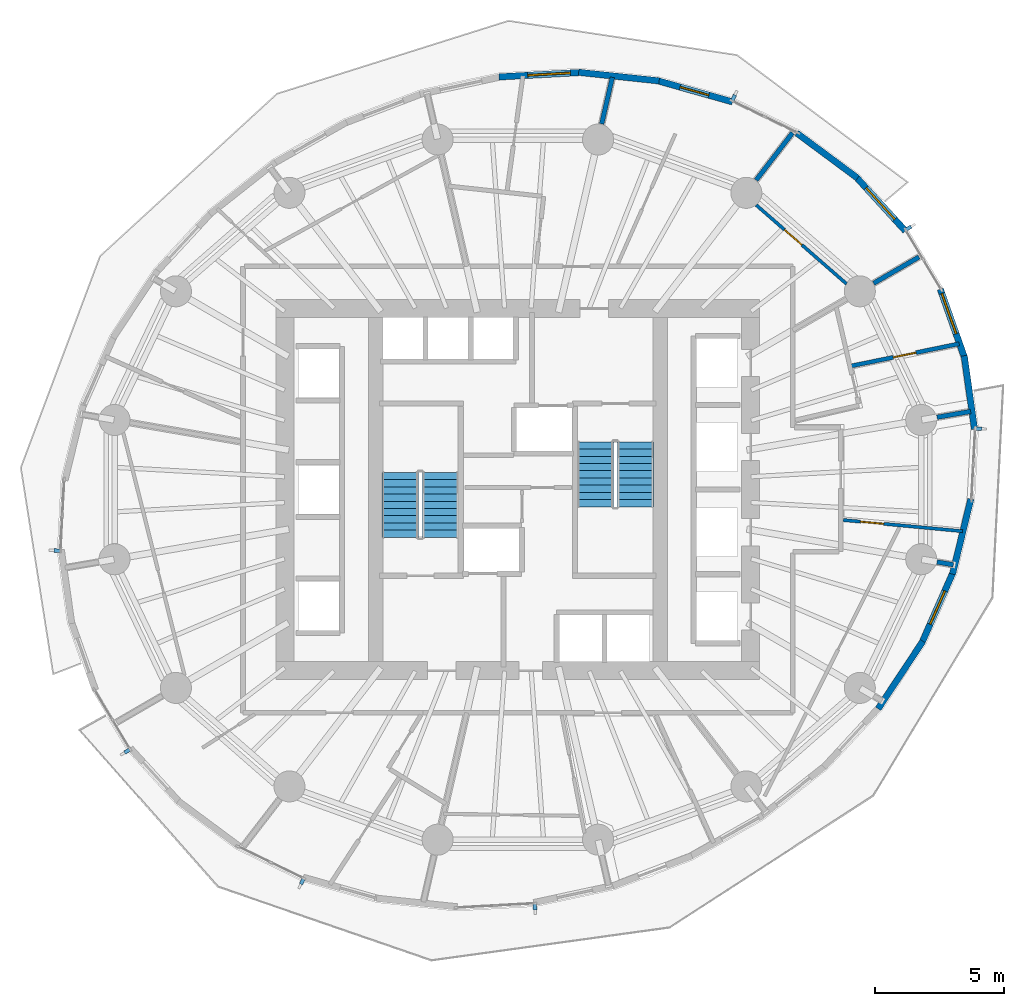
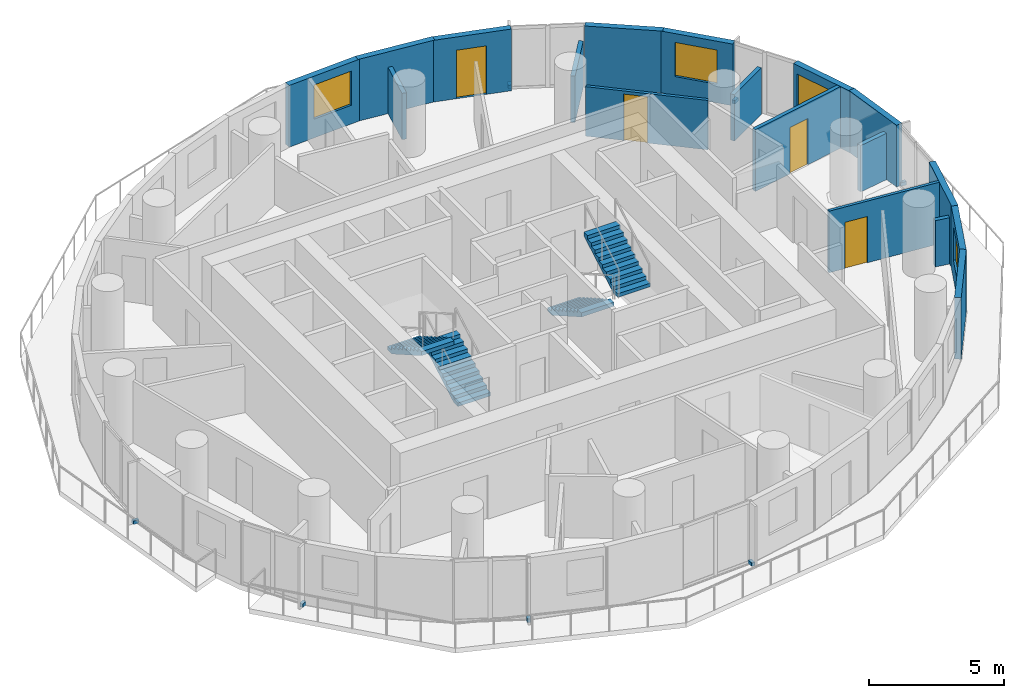
# One storey, part 10 of 15: 18 walls, 7 discrete accessories, 4 doors, 4 stair flights, 4 windows, 8 openings, 2 elements without a shape of their own.
"""IFC4 building model written with IfcOpenShell, lengths in metres."""

from ifc_helpers import new_model, si_unit, direction, frame, frame_2d, origin, origin_2d, place, context, subcontext, project, spatial, polyline, rectangle, outline, extrude, material, layer, layer_set, type_object, element, fill, aggregate, save


model = new_model("IFC4")

# Units and contexts
model_context = context("Model", 3, precision=1e-05, world=origin(), true_north=direction((0.0, 1.0)))
body_context = subcontext(model_context, "Body", "Model", "MODEL_VIEW")
ifc_project = project(units=[si_unit("LENGTHUNIT", "METRE"), si_unit("AREAUNIT", "SQUARE_METRE"), si_unit("VOLUMEUNIT", "CUBIC_METRE"), si_unit("PLANEANGLEUNIT", "RADIAN"), si_unit("MASSUNIT", "GRAM", prefix="KILO")], contexts=[model_context])

# Site, building, storey
site_placement = place(None, origin())
site = spatial("IfcSite", under=ifc_project, at=site_placement, CompositionType="ELEMENT")
building_placement = place(site_placement, origin())
building = spatial("IfcBuilding", under=site, at=building_placement, Name="Veldorim Arch Residences", CompositionType="ELEMENT")
storey_placement = place(building_placement, frame((0.0, 0.0, 109.280029296875)))
storey = spatial("IfcBuildingStorey", under=building, at=storey_placement, Name="L32", CompositionType="ELEMENT", Elevation=109.280029296875)

# Wall, opening, door
ifc_material_1 = material(Name="Acoustic Gypsum Board", Category="gypsum")
ifc_layer_1 = layer(ifc_material_1, 0.125, Name="Acoustic Stud Room Partition Wall 125")
ifc_layer_set_1 = layer_set([ifc_layer_1], Name="Acoustic Gypsum Board")
wall_type_1 = type_object("IfcWallType", Name="Acoustic Stud Room Partition Wall 125", PredefinedType="PARTITIONING", material=ifc_layer_set_1)
wall_1_placement = place(storey_placement, frame((49.19580078125, 22.39208984375, 0.0), z_axis=(0.0, 0.0, 1.0), x_axis=(-0.99565683003, 0.09309928472, 0.0)))
wall_1 = element("IfcWall", 1, at=wall_1_placement, inside=storey, type_object=wall_type_1, Name="L32 interior wall WL-RES-L32-017", PredefinedType="PARTITIONING", context=body_context, shape_type="SweptSolid", body=[
    extrude(rectangle(XDim=4.63623046875, YDim=0.125, at=frame_2d((2.318115234375, 0.0))), origin(), (0.0, 0.0, 1.0), 2.794921875),
])
opening_1_placement = place(wall_1_placement, frame((3.066162109375, 0.0, 0.0)))
opening_1 = element("IfcOpeningElement", 2, at=opening_1_placement, cuts=wall_1, Name="Opening DR-INT", PredefinedType="OPENING", context=body_context, shape_type="SweptSolid", body=[
    extrude(rectangle(XDim=0.89990234375, YDim=2.10009765625, at=frame_2d((0.449951171875, 1.050048828125))), frame((0.0, 0.072509765625, 0.0), z_axis=(0.0, -1.0, 0.0), x_axis=(1.0, 0.0, 0.0)), (0.0, 0.0, 1.0), 0.14501953125),
])
ifc_material_2 = material(Name="Engineered Timber", Category="wood")
door_type_1 = type_object("IfcDoorType", Name="Apartment Internal Room Timber Door 900x2100", OperationType="SINGLE_SWING_LEFT", PredefinedType="DOOR", material=ifc_material_2)
door_1_placement = place(opening_1_placement, origin())
door_1 = element("IfcDoor", 3, at=door_1_placement, inside=storey, type_object=door_type_1, Name="L32 interior door DR-RES-L32-007", OperationType="SINGLE_SWING_LEFT", OverallHeight=2.10009765625, OverallWidth=0.89990234375, PredefinedType="DOOR", context=body_context, shape_type="SweptSolid", body=[
    extrude(rectangle(XDim=0.89990234375, YDim=2.10009765625, at=frame_2d((0.449951171875, 1.050048828125))), frame((0.0, 0.02490234375, 0.0), z_axis=(0.0, -1.0, 0.0), x_axis=(1.0, 0.0, 0.0)), (0.0, 0.0, 1.0), 0.050048828125),
])
fill(opening_1, door_1)

wall_2_placement = place(storey_placement, frame((41.216064453125, 35.002685546875, 0.0), z_axis=(0.0, 0.0, 1.0), x_axis=(0.753372011099, -0.657594565741, 0.0)))
wall_2 = element("IfcWall", 4, at=wall_2_placement, inside=storey, type_object=wall_type_1, Name="L32 interior wall WL-RES-L32-027", PredefinedType="PARTITIONING", context=body_context, shape_type="SweptSolid", body=[
    extrude(rectangle(XDim=4.63671875, YDim=0.125, at=frame_2d((2.318359375, 0.0))), origin(), (0.0, 0.0, 1.0), 2.243408203125),
])
opening_2_placement = place(wall_2_placement, frame((1.4482421875, 0.0, 0.0)))
opening_2 = element("IfcOpeningElement", 5, at=opening_2_placement, cuts=wall_2, Name="Opening DR-INT", PredefinedType="OPENING", context=body_context, shape_type="SweptSolid", body=[
    extrude(rectangle(XDim=0.89990234375, YDim=2.10009765625, at=frame_2d((0.449951171875, 1.050048828125))), frame((0.0, 0.072509765625, 0.0), z_axis=(0.0, -1.0, 0.0), x_axis=(1.0, 0.0, 0.0)), (0.0, 0.0, 1.0), 0.14501953125),
])
door_2_placement = place(opening_2_placement, origin())
door_2 = element("IfcDoor", 6, at=door_2_placement, inside=storey, type_object=door_type_1, Name="L32 interior door DR-RES-L32-013", OperationType="SINGLE_SWING_LEFT", OverallHeight=2.10009765625, OverallWidth=0.89990234375, PredefinedType="DOOR", context=body_context, shape_type="SweptSolid", body=[
    extrude(rectangle(XDim=0.89990234375, YDim=2.10009765625, at=frame_2d((0.449951171875, 1.050048828125))), frame((0.0, 0.02490234375, 0.0), z_axis=(0.0, -1.0, 0.0), x_axis=(1.0, 0.0, 0.0)), (0.0, 0.0, 1.0), 0.050048828125),
])
fill(opening_2, door_2)

# Walls
ifc_material_3 = material(Name="Lightweight Masonry Block & Gypsum", Category="masonry")
ifc_layer_2 = layer(ifc_material_3, 0.179931640625, Name="Compartment & Corridor Fire-Rated Party Wall 180")
ifc_layer_set_2 = layer_set([ifc_layer_2], Name="Lightweight Masonry Block & Gypsum")
wall_type_2 = type_object("IfcWallType", Name="Compartment & Corridor Fire-Rated Party Wall 180", PredefinedType="PARTITIONING", material=ifc_layer_set_2)
wall_3_placement = place(storey_placement, frame((48.20556640625, 26.797607421875, 0.0), z_axis=(0.0, 0.0, 1.0), x_axis=(0.98541625201, 0.170161130326, 0.0)))
element("IfcWall", 7, at=wall_3_placement, inside=storey, type_object=wall_type_2, Name="L32 interior wall WL-PIER-L32-01", PredefinedType="PARTITIONING", context=body_context, shape_type="SweptSolid", body=[
    extrude(rectangle(XDim=1.318603515625, YDim=0.179931640625, at=frame_2d((0.6591796875, 0.0))), origin(), (0.0, 0.0, 1.0), 2.100341796875),
])
wall_4_placement = place(storey_placement, frame((45.756591796875, 31.977783203125, 0.0), z_axis=(0.0, 0.0, 1.0), x_axis=(0.865046864493, 0.501691062539, 0.0)))
element("IfcWall", 8, at=wall_4_placement, inside=storey, type_object=wall_type_2, Name="L32 interior wall WL-PIER-L32-02", PredefinedType="PARTITIONING", context=body_context, shape_type="SweptSolid", body=[
    extrude(rectangle(XDim=2.02783203125, YDim=0.179931640625, at=frame_2d((1.013916015625, 0.0))), origin(), (0.0, 0.0, 1.0), 2.100341796875),
])
wall_5_placement = place(storey_placement, frame((41.2119140625, 35.965576171875, 0.0), z_axis=(0.0, 0.0, 1.0), x_axis=(0.610007255548, 0.792395827967, 0.0)))
element("IfcWall", 9, at=wall_5_placement, inside=storey, type_object=wall_type_2, Name="L32 interior wall WL-PIER-L32-03", PredefinedType="PARTITIONING", context=body_context, shape_type="SweptSolid", body=[
    extrude(rectangle(XDim=2.3076171875, YDim=0.179931640625, at=frame_2d((1.15380859375, 0.0))), origin(), (0.0, 0.0, 1.0), 2.100341796875),
])
wall_6_placement = place(storey_placement, frame((35.240478515625, 38.13916015625, 0.0), z_axis=(0.0, 0.0, 1.0), x_axis=(0.2234127464, 0.974723932581, 0.0)))
element("IfcWall", 10, at=wall_6_placement, inside=storey, type_object=wall_type_2, Name="L32 interior wall WL-PIER-L32-04", PredefinedType="PARTITIONING", context=body_context, shape_type="SweptSolid", body=[
    extrude(rectangle(XDim=1.848876953125, YDim=0.179931640625, at=frame_2d((0.92431640625, 0.0))), origin(), (0.0, 0.0, 1.0), 2.100341796875),
])
wall_7_placement = place(storey_placement, frame((48.20556640625, 21.202392578125, 0.0), z_axis=(0.0, 0.0, 1.0), x_axis=(0.985389793052, -0.170314285219, 0.0)))
element("IfcWall", 11, at=wall_7_placement, inside=storey, type_object=wall_type_2, Name="L32 interior wall WL-PIER-L32-16", PredefinedType="PARTITIONING", context=body_context, shape_type="SweptSolid", body=[
    extrude(rectangle(XDim=0.64208984375, YDim=0.179931640625, at=frame_2d((0.321044921875, 0.0))), origin(), (0.0, 0.0, 1.0), 2.100341796875),
])

# Wall, opening, window
ifc_material_4 = material(Name="Precast concrete C40/50", Category="concrete")
ifc_layer_3 = layer(ifc_material_4, 0.25, Name="Tower Terracotta Spandrel & Pier Wall 250")
ifc_layer_set_3 = layer_set([ifc_layer_3], Name="Precast concrete C40/50")
wall_type_3 = type_object("IfcWallType", Name="Tower Terracotta Spandrel & Pier Wall 250", PredefinedType="SOLIDWALL", material=ifc_layer_set_3)
wall_8_placement = place(storey_placement, frame((45.051025390625, 36.12060546875, 0.0), z_axis=(0.0, 0.0, 1.0), x_axis=(0.673691100196, -0.739013059098, 0.0)))
wall_8 = element("IfcWall", 12, at=wall_8_placement, inside=storey, type_object=wall_type_3, Name="L32 terracotta facade wall 02", PredefinedType="SOLIDWALL", context=body_context, shape_type="SweptSolid", body=[
    extrude(rectangle(XDim=2.8740234375, YDim=0.25, at=frame_2d((1.43701171875, 0.0))), origin(), (0.0, 0.0, 1.0), 2.800048828125),
])
opening_3_placement = place(wall_8_placement, frame((0.612060546875, 0.0, 0.85009765625)))
opening_3 = element("IfcOpeningElement", 13, at=opening_3_placement, cuts=wall_8, Name="Opening WN-03", PredefinedType="OPENING", context=body_context, shape_type="SweptSolid", body=[
    extrude(rectangle(XDim=1.64990234375, YDim=1.550048828125, at=frame_2d((0.824951171875, 0.77490234375))), frame((0.0, 0.135009765625, 0.0), z_axis=(0.0, -1.0, 0.0), x_axis=(1.0, 0.0, 0.0)), (0.0, 0.0, 1.0), 0.27001953125),
])
ifc_material_5 = material(Name="Laminated Low-E Glass", Category="glass")
window_type_1 = type_object("IfcWindowType", Name="Residential Wide Window 1650x1550", PartitioningType="SINGLE_PANEL", PredefinedType="WINDOW", material=ifc_material_5)
window_1_placement = place(opening_3_placement, origin())
window_1 = element("IfcWindow", 14, at=window_1_placement, inside=storey, type_object=window_type_1, Name="L32 solar-control facade window 02", OverallHeight=1.550048828125, OverallWidth=1.64990234375, PartitioningType="SINGLE_PANEL", PredefinedType="WINDOW", context=body_context, shape_type="SweptSolid", body=[
    extrude(rectangle(XDim=1.64990234375, YDim=1.550048828125, at=frame_2d((0.824951171875, 0.77490234375))), frame((0.0, 0.030029296875, 0.0), z_axis=(0.0, -1.0, 0.0), x_axis=(1.0, 0.0, 0.0)), (0.0, 0.0, 1.0), 0.06005859375),
])
fill(opening_3, window_1)

# Wall
wall_9_placement = place(storey_placement, frame((42.787353515625, 37.785400390625, 0.0), z_axis=(0.0, 0.0, 1.0), x_axis=(0.803255279066, -0.595634918933, 0.0)))
element("IfcWall", 15, at=wall_9_placement, inside=storey, type_object=wall_type_3, Name="L32 terracotta facade wall 03", PredefinedType="SOLIDWALL", context=body_context, shape_type="SweptSolid", body=[
    extrude(rectangle(XDim=2.92333984375, YDim=0.25, at=frame_2d((1.461669921875, 0.0))), origin(), (0.0, 0.0, 1.0), 2.800048828125),
])

# Wall, opening, door
wall_10_placement = place(storey_placement, frame((37.3544921875, 39.82470703125, 0.0), z_axis=(0.0, 0.0, 1.0), x_axis=(0.962391946781, -0.271664758059, 0.0)))
wall_10 = element("IfcWall", 16, at=wall_10_placement, inside=storey, type_object=wall_type_3, Name="L32 terracotta facade wall 05", PredefinedType="SOLIDWALL", context=body_context, shape_type="SweptSolid", body=[
    extrude(rectangle(XDim=3.06103515625, YDim=0.25, at=frame_2d((1.530517578125, 0.0))), origin(), (0.0, 0.0, 1.0), 2.800048828125),
])
opening_4_placement = place(wall_10_placement, frame((0.955078125, 0.0, 0.0)))
opening_4 = element("IfcOpeningElement", 17, at=opening_4_placement, cuts=wall_10, Name="Opening BL-DR", PredefinedType="OPENING", context=body_context, shape_type="SweptSolid", body=[
    extrude(rectangle(XDim=1.14990234375, YDim=2.199951171875, at=frame_2d((0.574951171875, 1.10009765625))), frame((0.0, 0.135009765625, 0.0), z_axis=(0.0, -1.0, 0.0), x_axis=(1.0, 0.0, 0.0)), (0.0, 0.0, 1.0), 0.27001953125),
])
ifc_material_6 = material(Name="Aluminium & Low-E Glass", Category="aluminium")
door_type_2 = type_object("IfcDoorType", Name="Glazed Planted Balcony Door 1150x2200", OperationType="SINGLE_SWING_LEFT", PredefinedType="DOOR", material=ifc_material_6)
door_3_placement = place(opening_4_placement, origin())
door_3 = element("IfcDoor", 18, at=door_3_placement, inside=storey, type_object=door_type_2, Name="L32 glazed outdoor terrace door BALC-1", OperationType="SINGLE_SWING_LEFT", OverallHeight=2.199951171875, OverallWidth=1.14990234375, PredefinedType="DOOR", context=body_context, shape_type="SweptSolid", body=[
    extrude(rectangle(XDim=1.14990234375, YDim=2.199951171875, at=frame_2d((0.574951171875, 1.10009765625))), frame((0.0, 0.02490234375, 0.0), z_axis=(0.0, -1.0, 0.0), x_axis=(1.0, 0.0, 0.0)), (0.0, 0.0, 1.0), 0.050048828125),
])
fill(opening_4, door_3)

# Wall
wall_11_placement = place(storey_placement, frame((34.349853515625, 40.135986328125, 0.0), z_axis=(0.0, 0.0, 1.0), x_axis=(0.994353607356, -0.106117404502, 0.0)))
element("IfcWall", 19, at=wall_11_placement, inside=storey, type_object=wall_type_3, Name="L32 terracotta facade wall 06", PredefinedType="SOLIDWALL", context=body_context, shape_type="SweptSolid", body=[
    extrude(rectangle(XDim=3.131103515625, YDim=0.25, at=frame_2d((1.5654296875, 0.0))), origin(), (0.0, 0.0, 1.0), 2.800048828125),
])

# Wall, opening, window
wall_12_placement = place(storey_placement, frame((31.272705078125, 39.957275390625, 0.0), z_axis=(0.0, 0.0, 1.0), x_axis=(0.998478187791, 0.055148059859, 0.0)))
wall_12 = element("IfcWall", 20, at=wall_12_placement, inside=storey, type_object=wall_type_3, Name="L32 terracotta facade wall 07", PredefinedType="SOLIDWALL", context=body_context, shape_type="SweptSolid", body=[
    extrude(rectangle(XDim=3.19189453125, YDim=0.25, at=frame_2d((1.595947265625, 0.0))), origin(), (0.0, 0.0, 1.0), 2.800048828125),
])
opening_5_placement = place(wall_12_placement, frame((1.112060546875, 0.0, 0.85009765625)))
opening_5 = element("IfcOpeningElement", 21, at=opening_5_placement, cuts=wall_12, Name="Opening WN-03", PredefinedType="OPENING", context=body_context, shape_type="SweptSolid", body=[
    extrude(rectangle(XDim=1.64990234375, YDim=1.550048828125, at=frame_2d((0.824951171875, 0.77490234375))), frame((0.0, 0.135009765625, 0.0), z_axis=(0.0, -1.0, 0.0), x_axis=(1.0, 0.0, 0.0)), (0.0, 0.0, 1.0), 0.27001953125),
])
window_2_placement = place(opening_5_placement, origin())
window_2 = element("IfcWindow", 22, at=window_2_placement, inside=storey, type_object=window_type_1, Name="L32 solar-control facade window 07", OverallHeight=1.550048828125, OverallWidth=1.64990234375, PartitioningType="SINGLE_PANEL", PredefinedType="WINDOW", context=body_context, shape_type="SweptSolid", body=[
    extrude(rectangle(XDim=1.64990234375, YDim=1.550048828125, at=frame_2d((0.824951171875, 0.77490234375))), frame((0.0, 0.030029296875, 0.0), z_axis=(0.0, -1.0, 0.0), x_axis=(1.0, 0.0, 0.0)), (0.0, 0.0, 1.0), 0.06005859375),
])
fill(opening_5, window_2)

# Wall
wall_13_placement = place(storey_placement, frame((47.659423828125, 18.135986328125, 0.0), z_axis=(0.0, 0.0, 1.0), x_axis=(-0.552034347266, -0.833821371421, 0.0)))
element("IfcWall", 23, at=wall_13_placement, inside=storey, type_object=wall_type_3, Name="L32 terracotta facade wall 31", PredefinedType="SOLIDWALL", context=body_context, shape_type="SweptSolid", body=[
    extrude(rectangle(XDim=3.131103515625, YDim=0.25, at=frame_2d((1.5654296875, 0.0))), origin(), (0.0, 0.0, 1.0), 2.800048828125),
])

# Wall, opening, window
wall_14_placement = place(storey_placement, frame((48.843017578125, 20.83837890625, 0.0), z_axis=(0.0, 0.0, 1.0), x_axis=(-0.404109525311, -0.914710605357, 0.0)))
wall_14 = element("IfcWall", 24, at=wall_14_placement, inside=storey, type_object=wall_type_3, Name="L32 terracotta facade wall 32", PredefinedType="SOLIDWALL", context=body_context, shape_type="SweptSolid", body=[
    extrude(rectangle(XDim=3.060546875, YDim=0.25, at=frame_2d((1.5302734375, 0.0))), origin(), (0.0, 0.0, 1.0), 2.800048828125),
])
opening_6_placement = place(wall_14_placement, frame((0.830078125, 0.0, 0.85009765625)))
opening_6 = element("IfcOpeningElement", 25, at=opening_6_placement, cuts=wall_14, Name="Opening WN-02", PredefinedType="OPENING", context=body_context, shape_type="SweptSolid", body=[
    extrude(rectangle(XDim=1.39990234375, YDim=1.550048828125, at=frame_2d((0.699951171875, 0.77490234375))), frame((0.0, 0.135009765625, 0.0), z_axis=(0.0, -1.0, 0.0), x_axis=(1.0, 0.0, 0.0)), (0.0, 0.0, 1.0), 0.27001953125),
])
ifc_material_7 = material(Name="Laminated Low-E Glass", Category="glass")
window_type_2 = type_object("IfcWindowType", Name="Residential Casement Window 1400x1550", PartitioningType="SINGLE_PANEL", PredefinedType="WINDOW", material=ifc_material_7)
window_3_placement = place(opening_6_placement, origin())
window_3 = element("IfcWindow", 26, at=window_3_placement, inside=storey, type_object=window_type_2, Name="L32 solar-control facade window 32", OverallHeight=1.550048828125, OverallWidth=1.39990234375, PartitioningType="SINGLE_PANEL", PredefinedType="WINDOW", context=body_context, shape_type="SweptSolid", body=[
    extrude(rectangle(XDim=1.39990234375, YDim=1.550048828125, at=frame_2d((0.699951171875, 0.77490234375))), frame((0.0, 0.030029296875, 0.0), z_axis=(0.0, -1.0, 0.0), x_axis=(1.0, 0.0, 0.0)), (0.0, 0.0, 1.0), 0.06005859375),
])
fill(opening_6, window_3)

# Walls
wall_15_placement = place(storey_placement, frame((49.514404296875, 23.63623046875, 0.0), z_axis=(0.0, 0.0, 1.0), x_axis=(-0.236668427837, -0.971590477138, 0.0)))
element("IfcWall", 27, at=wall_15_placement, inside=storey, type_object=wall_type_3, Name="L32 terracotta facade wall 33", PredefinedType="SOLIDWALL", context=body_context, shape_type="SweptSolid", body=[
    extrude(rectangle(XDim=2.988525390625, YDim=0.25, at=frame_2d((1.494140625, 0.0))), origin(), (0.0, 0.0, 1.0), 2.800048828125),
])
wall_16_placement = place(storey_placement, frame((49.255859375, 29.176025390625, 0.0), z_axis=(0.0, 0.0, 1.0), x_axis=(0.139982311006, -0.990154004489, 0.0)))
element("IfcWall", 28, at=wall_16_placement, inside=storey, type_object=wall_type_3, Name="L32 terracotta facade wall 35", PredefinedType="SOLIDWALL", context=body_context, shape_type="SweptSolid", body=[
    extrude(rectangle(XDim=2.874267578125, YDim=0.25, at=frame_2d((1.43701171875, 0.0))), origin(), (0.0, 0.0, 1.0), 2.800048828125),
])

# Wall, opening, window
wall_17_placement = place(storey_placement, frame((48.3349609375, 31.75, 0.0), z_axis=(0.0, 0.0, 1.0), x_axis=(0.332923265962, -0.942953921982, 0.0)))
wall_17 = element("IfcWall", 29, at=wall_17_placement, inside=storey, type_object=wall_type_3, Name="L32 terracotta facade wall 36", PredefinedType="SOLIDWALL", context=body_context, shape_type="SweptSolid", body=[
    extrude(rectangle(XDim=2.847412109375, YDim=0.25, at=frame_2d((1.423828125, 0.0))), origin(), (0.0, 0.0, 1.0), 2.800048828125),
])
opening_7_placement = place(wall_17_placement, frame((0.175048828125, 0.0, 0.85009765625)))
opening_7 = element("IfcOpeningElement", 30, at=opening_7_placement, cuts=wall_17, Name="Opening WN-03", PredefinedType="OPENING", context=body_context, shape_type="SweptSolid", body=[
    extrude(rectangle(XDim=1.64990234375, YDim=1.550048828125, at=frame_2d((0.824951171875, 0.77490234375))), frame((0.0, 0.135009765625, 0.0), z_axis=(0.0, -1.0, 0.0), x_axis=(1.0, 0.0, 0.0)), (0.0, 0.0, 1.0), 0.27001953125),
])
window_4_placement = place(opening_7_placement, origin())
window_4 = element("IfcWindow", 31, at=window_4_placement, inside=storey, type_object=window_type_1, Name="L32 solar-control facade window 36", OverallHeight=1.550048828125, OverallWidth=1.64990234375, PartitioningType="SINGLE_PANEL", PredefinedType="WINDOW", context=body_context, shape_type="SweptSolid", body=[
    extrude(rectangle(XDim=1.64990234375, YDim=1.550048828125, at=frame_2d((0.824951171875, 0.77490234375))), frame((0.0, 0.030029296875, 0.0), z_axis=(0.0, -1.0, 0.0), x_axis=(1.0, 0.0, 0.0)), (0.0, 0.0, 1.0), 0.06005859375),
])
fill(opening_7, window_4)

# Wall, opening, door
ifc_material_8 = material(Name="Moisture-Resistant Gypsum & Stud", Category="gypsum")
ifc_layer_4 = layer(ifc_material_8, 0.159912109375, Name="Wet-Area Moisture-Resistant Plumbing Wall 160")
ifc_layer_set_4 = layer_set([ifc_layer_4], Name="Moisture-Resistant Gypsum & Stud")
wall_type_4 = type_object("IfcWallType", Name="Wet-Area Moisture-Resistant Plumbing Wall 160", PredefinedType="PLUMBINGWALL", material=ifc_layer_set_4)
wall_18_placement = place(storey_placement, frame((44.837646484375, 28.769775390625, 0.0), z_axis=(0.0, 0.0, 1.0), x_axis=(0.97949547816, 0.201466146695, 0.0)))
wall_18 = element("IfcWall", 32, at=wall_18_placement, inside=storey, type_object=wall_type_4, Name="L32 interior wall WL-RES-L32-016", PredefinedType="PLUMBINGWALL", context=body_context, shape_type="SweptSolid", body=[
    extrude(rectangle(XDim=4.315185546875, YDim=0.159912109375, at=frame_2d((2.15771484375, 0.0))), origin(), (0.0, 0.0, 1.0), 2.794921875),
])
opening_8_placement = place(wall_18_placement, frame((1.70751953125, 0.0, 0.0)))
opening_8 = element("IfcOpeningElement", 33, at=opening_8_placement, cuts=wall_18, Name="Opening DR-WC", PredefinedType="OPENING", context=body_context, shape_type="SweptSolid", body=[
    extrude(rectangle(XDim=0.89990234375, YDim=2.10009765625, at=frame_2d((0.449951171875, 1.050048828125))), frame((0.0, 0.08984375, 0.0), z_axis=(0.0, -1.0, 0.0), x_axis=(1.0, 0.0, 0.0)), (0.0, 0.0, 1.0), 0.179931640625),
])
ifc_material_9 = material(Name="Laminate Timber", Category="wood")
door_type_3 = type_object("IfcDoorType", Name="Bathroom & Accessible WC Moisture-Sealed Door 900x2100", OperationType="SINGLE_SWING_LEFT", PredefinedType="DOOR", material=ifc_material_9)
door_4_placement = place(opening_8_placement, origin())
door_4 = element("IfcDoor", 34, at=door_4_placement, inside=storey, type_object=door_type_3, Name="L32 interior door DR-RES-L32-006", OperationType="SINGLE_SWING_RIGHT", OverallHeight=2.10009765625, OverallWidth=0.89990234375, PredefinedType="DOOR", context=body_context, shape_type="SweptSolid", body=[
    extrude(rectangle(XDim=0.89990234375, YDim=2.10009765625, at=frame_2d((0.449951171875, 1.050048828125))), frame((0.0, 0.02490234375, 0.0), z_axis=(0.0, -1.0, 0.0), x_axis=(1.0, 0.0, 0.0)), (0.0, 0.0, 1.0), 0.050048828125),
])
fill(opening_8, door_4)

# Stair, stair flights
ifc_material_10 = material(Name="Concrete C40/50", Category="concrete")
stair_type = type_object("IfcStairType", Name="Reinforced Concrete Dogleg Exit Staircase", PredefinedType="HALF_TURN_STAIR", material=ifc_material_10)
stair_1_placement = place(storey_placement, origin())
stair_1 = element("IfcStair", 35, at=stair_1_placement, inside=storey, type_object=stair_type, Name="L32 Exit Staircase ST-1", PredefinedType="HALF_TURN_STAIR")
ifc_material_11 = material(Name="Concrete C40/50", Category="concrete")
stair_flight_type = type_object("IfcStairFlightType", Name="Reinforced Concrete Stair Flight 1400", PredefinedType="STRAIGHT", material=ifc_material_11)
stair_flight_1_placement = place(storey_placement, frame((29.010009765625, 22.14990234375, 0.0), z_axis=(0.0, 0.0, 1.0), x_axis=(0.0, 1.0, 0.0)))
stair_flight_1 = element("IfcStairFlight", 36, at=stair_flight_1_placement, type_object=stair_flight_type, Name="ST-1 flight 1", NumberOfRisers=10, NumberOfTreads=9, PredefinedType="STRAIGHT", RiserHeight=0.16, TreadLength=0.28, context=body_context, shape_type="SweptSolid", body=[
    extrude(outline(polyline([(0.0, 0.0), (0.0, 0.159912109375), (0.280029296875, 0.159912109375), (0.280029296875, 0.320068359375), (0.56005859375, 0.320068359375), (0.56005859375, 0.47998046875), (0.840087890625, 0.47998046875), (0.840087890625, 0.639892578125), (1.1201171875, 0.639892578125), (1.1201171875, 0.800048828125), (1.39990234375, 0.800048828125), (1.39990234375, 0.9599609375), (1.679931640625, 0.9599609375), (1.679931640625, 1.1201171875), (1.9599609375, 1.1201171875), (1.9599609375, 1.280029296875), (2.239990234375, 1.280029296875), (2.239990234375, 1.43994140625), (2.52001953125, 1.43994140625), (2.52001953125, 1.60009765625), (2.52001953125, 1.255859375), (0.322265625, 0.0), (0.0, 0.0)])), frame((0.0, 0.699951171875, 0.0), z_axis=(0.0, -1.0, 0.0), x_axis=(1.0, 0.0, 0.0)), (0.0, 0.0, 1.0), 1.39990234375),
])
stair_flight_2_placement = place(storey_placement, frame((27.449951171875, 24.669921875, 1.599853515625), z_axis=(0.0, 0.0, 1.0), x_axis=(0.0, -1.0, 0.0)))
stair_flight_2 = element("IfcStairFlight", 37, at=stair_flight_2_placement, type_object=stair_flight_type, Name="ST-1 flight 2", NumberOfRisers=10, NumberOfTreads=9, PredefinedType="STRAIGHT", RiserHeight=0.16, TreadLength=0.28, context=body_context, shape_type="SweptSolid", body=[
    extrude(outline(polyline([(0.0, 0.0), (0.0, 0.159912109375), (0.280029296875, 0.159912109375), (0.280029296875, 0.320068359375), (0.56005859375, 0.320068359375), (0.56005859375, 0.47998046875), (0.840087890625, 0.47998046875), (0.840087890625, 0.639892578125), (1.1201171875, 0.639892578125), (1.1201171875, 0.800048828125), (1.39990234375, 0.800048828125), (1.39990234375, 0.9599609375), (1.679931640625, 0.9599609375), (1.679931640625, 1.1201171875), (1.9599609375, 1.1201171875), (1.9599609375, 1.280029296875), (2.239990234375, 1.280029296875), (2.239990234375, 1.43994140625), (2.52001953125, 1.43994140625), (2.52001953125, 1.60009765625), (2.52001953125, 1.255859375), (0.322265625, 0.0), (0.0, 0.0)])), frame((0.0, 0.699951171875, 0.0), z_axis=(0.0, -1.0, 0.0), x_axis=(1.0, 0.0, 0.0)), (0.0, 0.0, 1.0), 1.39990234375),
])
aggregate(stair_1, [stair_flight_1, stair_flight_2])

stair_2_placement = place(storey_placement, origin())
stair_2 = element("IfcStair", 38, at=stair_2_placement, inside=storey, type_object=stair_type, Name="L32 Exit Staircase ST-2", PredefinedType="HALF_TURN_STAIR")
stair_flight_3_placement = place(storey_placement, frame((34.989990234375, 25.85009765625, 0.0), z_axis=(0.0, 0.0, 1.0), x_axis=(0.0, -1.0, 0.0)))
stair_flight_3 = element("IfcStairFlight", 39, at=stair_flight_3_placement, type_object=stair_flight_type, Name="ST-2 flight 1", NumberOfRisers=10, NumberOfTreads=9, PredefinedType="STRAIGHT", RiserHeight=0.16, TreadLength=0.28, context=body_context, shape_type="SweptSolid", body=[
    extrude(outline(polyline([(0.0, 0.0), (0.0, 0.159912109375), (0.280029296875, 0.159912109375), (0.280029296875, 0.320068359375), (0.56005859375, 0.320068359375), (0.56005859375, 0.47998046875), (0.840087890625, 0.47998046875), (0.840087890625, 0.639892578125), (1.1201171875, 0.639892578125), (1.1201171875, 0.800048828125), (1.39990234375, 0.800048828125), (1.39990234375, 0.9599609375), (1.679931640625, 0.9599609375), (1.679931640625, 1.1201171875), (1.9599609375, 1.1201171875), (1.9599609375, 1.280029296875), (2.239990234375, 1.280029296875), (2.239990234375, 1.43994140625), (2.52001953125, 1.43994140625), (2.52001953125, 1.60009765625), (2.52001953125, 1.255859375), (0.322265625, 0.0), (0.0, 0.0)])), frame((0.0, 0.699951171875, 0.0), z_axis=(0.0, -1.0, 0.0), x_axis=(1.0, 0.0, 0.0)), (0.0, 0.0, 1.0), 1.39990234375),
])
stair_flight_4_placement = place(storey_placement, frame((36.550048828125, 23.330078125, 1.599853515625), z_axis=(0.0, 0.0, 1.0), x_axis=(0.0, 1.0, 0.0)))
stair_flight_4 = element("IfcStairFlight", 40, at=stair_flight_4_placement, type_object=stair_flight_type, Name="ST-2 flight 2", NumberOfRisers=10, NumberOfTreads=9, PredefinedType="STRAIGHT", RiserHeight=0.16, TreadLength=0.28, context=body_context, shape_type="SweptSolid", body=[
    extrude(outline(polyline([(0.0, 0.0), (0.0, 0.159912109375), (0.280029296875, 0.159912109375), (0.280029296875, 0.320068359375), (0.56005859375, 0.320068359375), (0.56005859375, 0.47998046875), (0.840087890625, 0.47998046875), (0.840087890625, 0.639892578125), (1.1201171875, 0.639892578125), (1.1201171875, 0.800048828125), (1.39990234375, 0.800048828125), (1.39990234375, 0.9599609375), (1.679931640625, 0.9599609375), (1.679931640625, 1.1201171875), (1.9599609375, 1.1201171875), (1.9599609375, 1.280029296875), (2.239990234375, 1.280029296875), (2.239990234375, 1.43994140625), (2.52001953125, 1.43994140625), (2.52001953125, 1.60009765625), (2.52001953125, 1.255859375), (0.322265625, 0.0), (0.0, 0.0)])), frame((0.0, 0.699951171875, 0.0), z_axis=(0.0, -1.0, 0.0), x_axis=(1.0, 0.0, 0.0)), (0.0, 0.0, 1.0), 1.39990234375),
])
aggregate(stair_2, [stair_flight_3, stair_flight_4])

# Discrete accessories
ifc_material_12 = material(Name="Stainless Steel", Category="steel")
discrete_accessory_type = type_object("IfcDiscreteAccessoryType", Name="Stainless Steel Facade Fin Anchor Bracket", PredefinedType="BRACKET", material=ifc_material_12)
for number, where, z_axis, x_axis, name in (
    (41, (47.1025390625, 34.10791015625, -0.02001953125), (0.0, 0.0, 1.0), (0.514439533782, -0.857526656194, 0.0), "L32 stainless fin anchor bracket 01"),
    (42, (40.338623046875, 39.149658203125, -0.02001953125), (0.0, 0.0, 1.0), (0.899481528961, -0.436958784165, 0.0), "L32 stainless fin anchor bracket 04"),
    (43, (14.18359375, 21.642578125, -0.02001953125), (0.0, 0.0, 1.0), (0.053033118368, 0.998592754007, 0.0), "L32 stainless fin anchor bracket 16"),
    (44, (16.8974609375, 13.89208984375, -0.02001953125), (0.0, 0.0, 1.0), (-0.514439533782, 0.857526656194, 0.0), "L32 stainless fin anchor bracket 19"),
    (45, (23.661376953125, 8.850341796875, -0.02001953125), (0.0, 0.0, 1.0), (-0.899481528961, 0.436958784165, 0.0), "L32 stainless fin anchor bracket 22"),
    (46, (32.6591796875, 7.871337890625, -0.02001953125), (0.0, 0.0, 1.0), (-0.998479491627, -0.055124448298, 0.0), "L32 stainless fin anchor bracket 25"),
    (47, (49.81640625, 26.357421875, -0.02001953125), (0.0, 0.0, 1.0), (-0.053033118368, -0.998592754007, 0.0), "L32 stainless fin anchor bracket 34"),
):
    element("IfcDiscreteAccessory", number, at=place(storey_placement, frame(where, z_axis=z_axis, x_axis=x_axis)), inside=storey, type_object=discrete_accessory_type, Name=name, PredefinedType="BRACKET", context=body_context, shape_type="SweptSolid", body=[
        extrude(rectangle(XDim=0.139892578125, YDim=0.239990234375, at=origin_2d()), origin(), (0.0, 0.0, 1.0), 0.159912109375),
    ])

save(model, "model.ifc")
